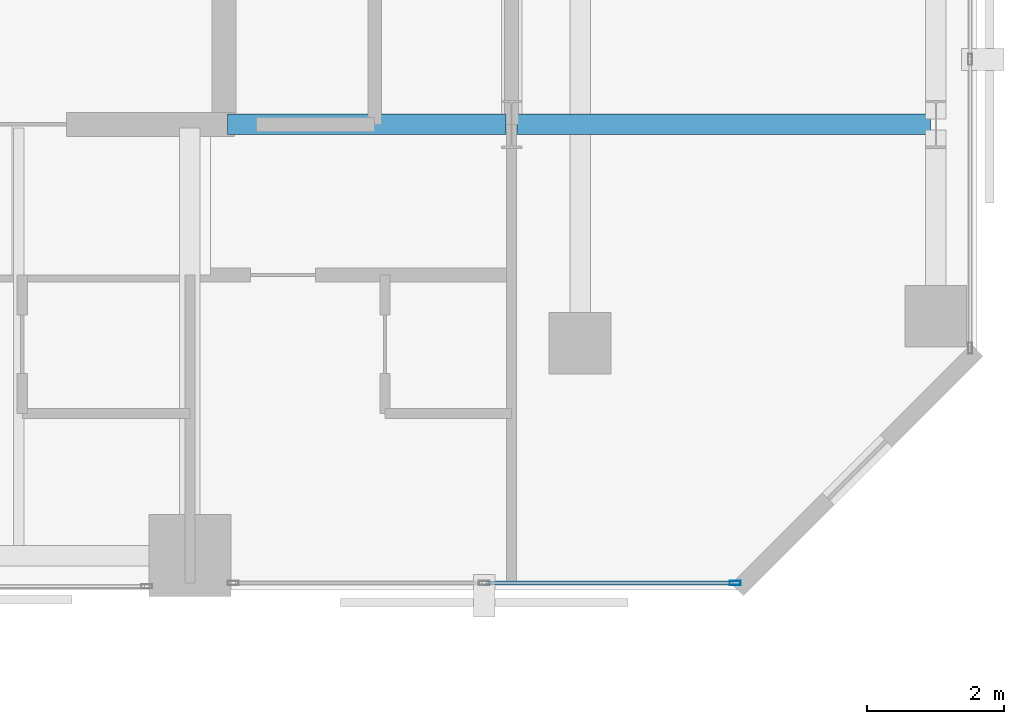
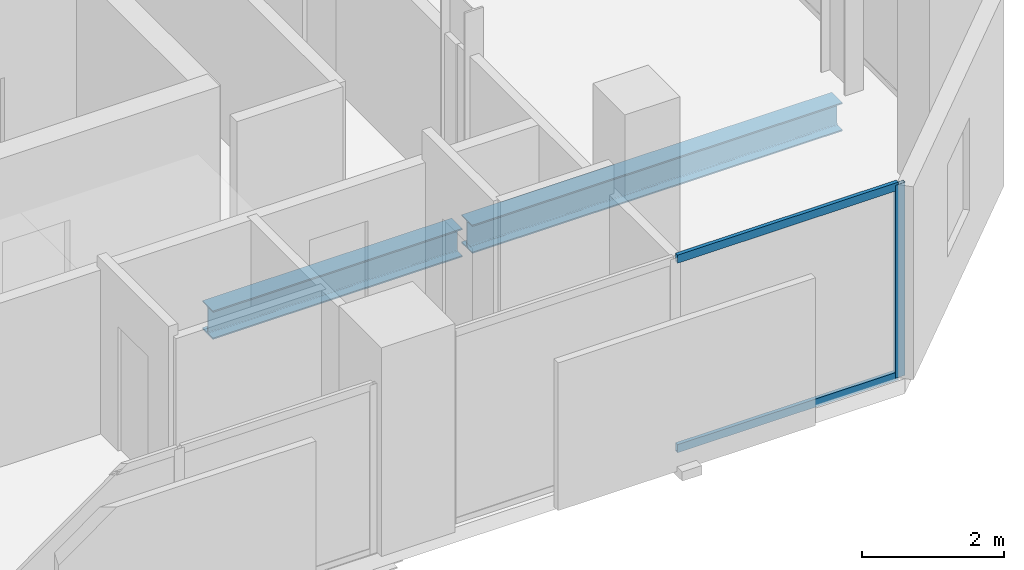
# One storey, part 15 of 34: 3 members, 2 beams, 1 element without a shape of its own.
"""IFC4 building model written with IfcOpenShell, lengths in metres."""

from ifc_helpers import new_model, si_unit, direction, frame, origin, origin_2d, place, context, subcontext, project, spatial, hollow_rectangle, i_section, extrude, material, layer, layer_set, material_profile, profile_set, type_object, element, aggregate, save


model = new_model("IFC4")

# Units and contexts
model_context = context("Model", 3, precision=1e-05, world=origin(), true_north=direction((0.0, 1.0)))
body_context = subcontext(model_context, "Body", "Model", "MODEL_VIEW")
ifc_project = project(units=[si_unit("LENGTHUNIT", "METRE"), si_unit("AREAUNIT", "SQUARE_METRE"), si_unit("VOLUMEUNIT", "CUBIC_METRE"), si_unit("PLANEANGLEUNIT", "RADIAN"), si_unit("MASSUNIT", "GRAM", prefix="KILO")], contexts=[model_context])

# Site, building, storey
site_placement = place(None, origin())
site = spatial("IfcSite", under=ifc_project, at=site_placement, CompositionType="ELEMENT")
building_placement = place(site_placement, origin())
building = spatial("IfcBuilding", under=site, at=building_placement, Name="Catumbela Crestline Tower", CompositionType="ELEMENT")
storey_placement = place(building_placement, frame((0.0, 0.0, 93.6)))
storey = spatial("IfcBuildingStorey", under=building, at=storey_placement, Name="L23", CompositionType="ELEMENT", Elevation=93.6)

# Beams
ifc_material_1 = material(Name="Structural steel S355J2", Category="steel")
ifc_material_profile_1 = material_profile(ifc_material_1, i_section(OverallWidth=0.3, OverallDepth=0.49, WebThickness=0.012, FlangeThickness=0.023, FilletRadius=0.027, at=origin_2d()), Name="HEA 500")
ifc_profile_set_1 = profile_set([ifc_material_profile_1], Name="Structural steel S355J2")
beam_type = type_object("IfcBeamType", Name="BG-HEA500", PredefinedType="BEAM", material=ifc_profile_set_1)
beam_1_placement = place(storey_placement, frame((40.05, 30.8, -0.505), z_axis=(1.0, 0.0, 0.0), x_axis=(0.0, 1.0, 0.0)))
element("IfcBeam", 1, at=beam_1_placement, inside=storey, type_object=beam_type, Name="L23 Beam BM-L23-M10", PredefinedType="BEAM", context=body_context, shape_type="SweptSolid", body=[
    extrude(i_section(OverallWidth=0.3, OverallDepth=0.49, WebThickness=0.012, FlangeThickness=0.023, FilletRadius=0.027, at=origin_2d()), origin(), (0.0, 0.0, 1.0), 4.07),
])
beam_2_placement = place(storey_placement, frame((44.28, 30.8, -0.505), z_axis=(1.0, 0.0, 0.0), x_axis=(0.0, 1.0, 0.0)))
element("IfcBeam", 2, at=beam_2_placement, inside=storey, type_object=beam_type, Name="L23 Beam BM-L23-M11", PredefinedType="BEAM", context=body_context, shape_type="SweptSolid", body=[
    extrude(i_section(OverallWidth=0.3, OverallDepth=0.49, WebThickness=0.012, FlangeThickness=0.023, FilletRadius=0.027, at=origin_2d()), origin(), (0.0, 0.0, 1.0), 6.04),
])

# Curtain wall, members
ifc_material_2 = material(Name="Aluminium alloy AW-6060-T66", Category="aluminium")
ifc_layer = layer(ifc_material_2, 0.18, Name="Aluminium alloy AW-6060-T66")
ifc_layer_set = layer_set([ifc_layer], Name="Aluminium alloy AW-6060-T66")
curtain_wall_type = type_object("IfcCurtainWallType", Name="CWU-Z2", PredefinedType="USERDEFINED", material=ifc_layer_set)
curtain_wall_placement = place(storey_placement, origin())
curtain_wall = element("IfcCurtainWall", 3, at=curtain_wall_placement, inside=storey, type_object=curtain_wall_type, Name="L23 Unitised Curtain Wall CW-L23-E3S3", ObjectType="UNITISED", PredefinedType="USERDEFINED")
ifc_material_profile_2 = material_profile(ifc_material_2, hollow_rectangle(XDim=0.06, YDim=0.16, WallThickness=0.004, at=origin_2d()), Name="ALU 160x60x4")
ifc_profile_set_2 = profile_set([ifc_material_profile_2], Name="Aluminium alloy AW-6060-T66")
member_type_1 = type_object("IfcMemberType", Name="MUL-160X60", PredefinedType="MULLION", material=ifc_profile_set_2)
member_1_placement = place(storey_placement, frame((47.4675, 24.1, 0.0), z_axis=(0.0, 0.0, 1.0), x_axis=(0.0, 1.0, 0.0)))
member_1 = element("IfcMember", 4, at=member_1_placement, type_object=member_type_1, Name="CWU-Z2 mullion 3", PredefinedType="MULLION", context=body_context, shape_type="SweptSolid", body=[
    extrude(hollow_rectangle(XDim=0.06, YDim=0.16, WallThickness=0.004, at=origin_2d()), origin(), (0.0, 0.0, 1.0), 3.33),
])
ifc_material_profile_3 = material_profile(ifc_material_2, hollow_rectangle(XDim=0.06, YDim=0.14, WallThickness=0.004, at=origin_2d()), Name="ALU 140x60x4")
ifc_profile_set_3 = profile_set([ifc_material_profile_3], Name="Aluminium alloy AW-6060-T66")
member_type_2 = type_object("IfcMemberType", Name="TRN-140X60", PredefinedType="USERDEFINED", material=ifc_profile_set_3)
member_2_placement = place(storey_placement, frame((43.8325, 24.1, 0.03), z_axis=(1.0, 0.0, 0.0), x_axis=(0.0, 1.0, 0.0)))
member_2 = element("IfcMember", 5, at=member_2_placement, type_object=member_type_2, Name="CWU-Z2 transom 2.1", ObjectType="TRANSOM", PredefinedType="USERDEFINED", context=body_context, shape_type="SweptSolid", body=[
    extrude(hollow_rectangle(XDim=0.06, YDim=0.14, WallThickness=0.004, at=origin_2d()), origin(), (0.0, 0.0, 1.0), 3.6025),
])
member_3_placement = place(storey_placement, frame((43.8325, 24.1, 3.3), z_axis=(1.0, 0.0, 0.0), x_axis=(0.0, 1.0, 0.0)))
member_3 = element("IfcMember", 6, at=member_3_placement, type_object=member_type_2, Name="CWU-Z2 transom 2.2", ObjectType="TRANSOM", PredefinedType="USERDEFINED", context=body_context, shape_type="SweptSolid", body=[
    extrude(hollow_rectangle(XDim=0.06, YDim=0.14, WallThickness=0.004, at=origin_2d()), origin(), (0.0, 0.0, 1.0), 3.6025),
])
aggregate(curtain_wall, [member_1, member_2, member_3])

save(model, "model.ifc")
